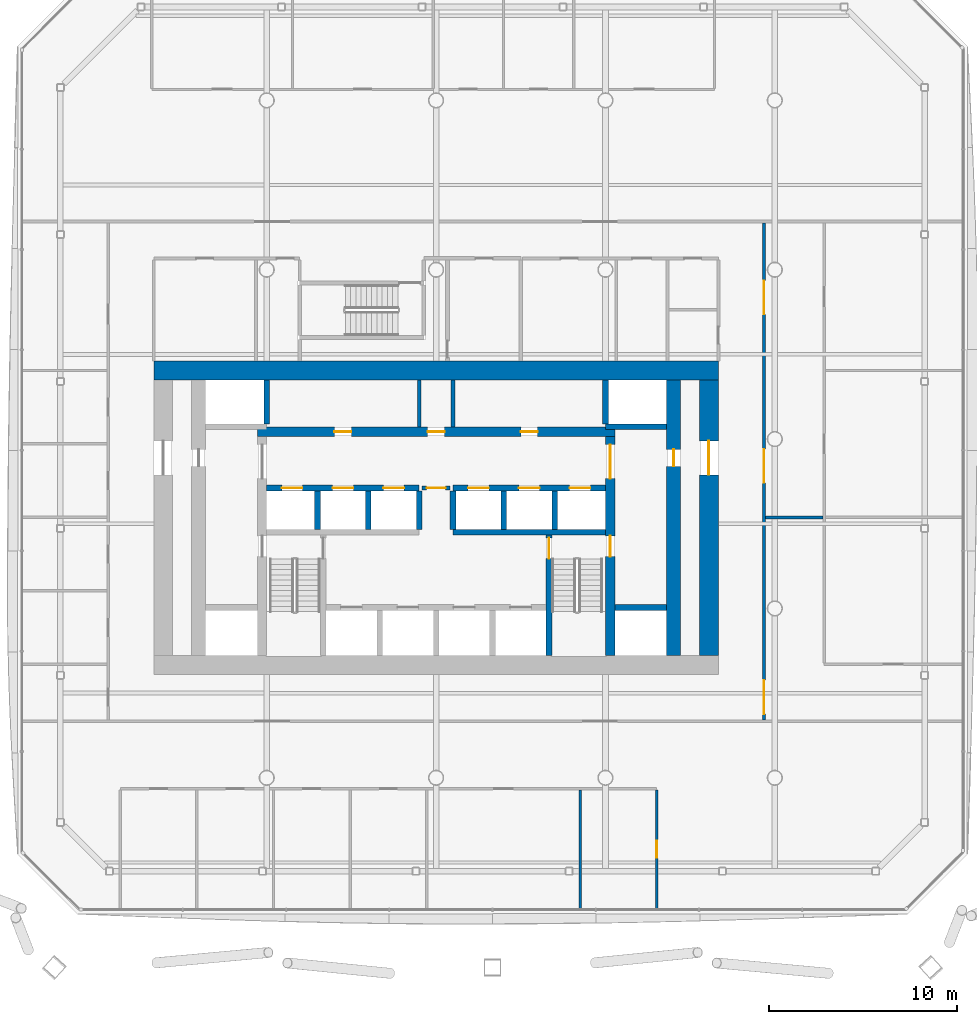
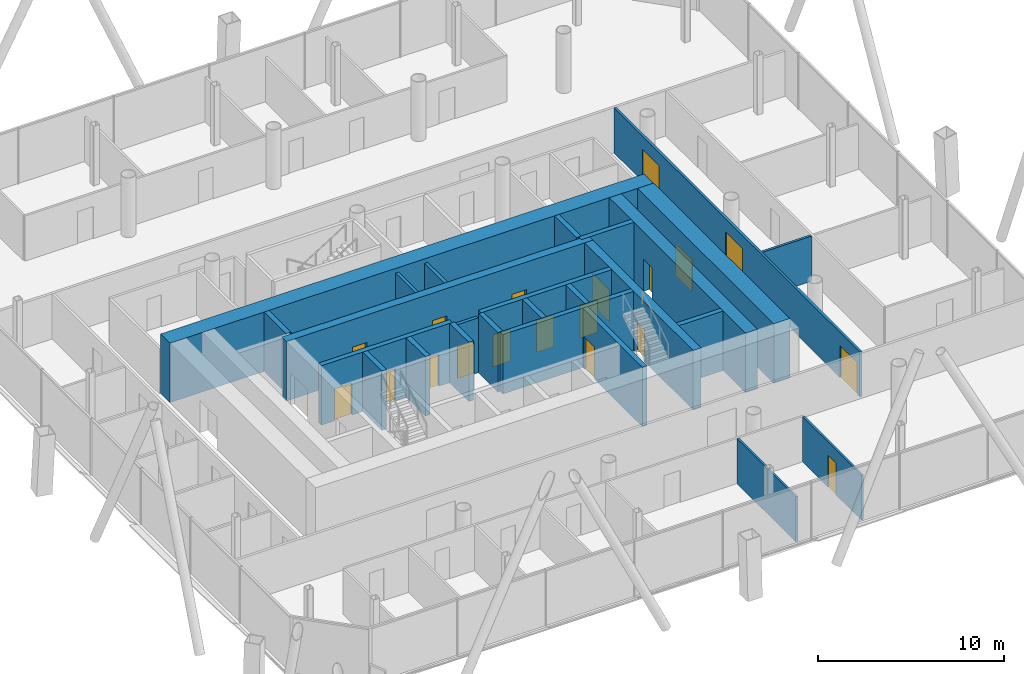
# One storey, part 15 of 22: 26 walls, 19 doors, 19 openings.
"""IFC4 building model written with IfcOpenShell, lengths in metres."""

from ifc_helpers import new_model, si_unit, direction, frame, frame_2d, origin, place, context, subcontext, project, spatial, rectangle, extrude, material, layer, layer_set, type_object, element, fill, save


model = new_model("IFC4")

# Units and contexts
model_context = context("Model", 3, precision=1e-05, world=origin(), true_north=direction((0.0, 1.0)))
body_context = subcontext(model_context, "Body", "Model", "MODEL_VIEW")
ifc_project = project(units=[si_unit("LENGTHUNIT", "METRE"), si_unit("AREAUNIT", "SQUARE_METRE"), si_unit("VOLUMEUNIT", "CUBIC_METRE"), si_unit("PLANEANGLEUNIT", "RADIAN"), si_unit("MASSUNIT", "GRAM", prefix="KILO")], contexts=[model_context])

# Site, building, storey
site_placement = place(None, origin())
site = spatial("IfcSite", under=ifc_project, at=site_placement, CompositionType="ELEMENT")
building_placement = place(site_placement, origin())
building = spatial("IfcBuilding", under=site, at=building_placement, Name="Tskaro Facet Tower", CompositionType="ELEMENT")
storey_placement = place(building_placement, frame((0.0, 0.0, 73.800048828125)))
storey = spatial("IfcBuildingStorey", under=building, at=storey_placement, Name="L17", CompositionType="ELEMENT", Elevation=73.800048828125)

# Walls
ifc_material_1 = material(Name="Concrete C60/75", Category="concrete")
ifc_layer_1 = layer(ifc_material_1, 0.300048828125, Name="Concrete C60/75")
ifc_layer_set_1 = layer_set([ifc_layer_1], Name="Concrete C60/75")
wall_type_1 = type_object("IfcWallType", Name="CORE-SHAFT", PredefinedType="SHEAR", material=ifc_layer_set_1)
wall_1_placement = place(storey_placement, frame((9.5, -8.949951171875, 0.0), z_axis=(0.0, 0.0, 1.0), x_axis=(1.0, 0.0, 0.0)))
element("IfcWall", 1, at=wall_1_placement, inside=storey, type_object=wall_type_1, Name="Shaft wall W007", PredefinedType="SHEAR", context=body_context, shape_type="SweptSolid", body=[
    extrude(rectangle(XDim=2.75, YDim=0.300048828125, at=frame_2d((1.375, 0.0))), origin(), (0.0, 0.0, 1.0), 3.89990234375),
])
wall_2_placement = place(storey_placement, frame((0.89990234375, -4.949951171875, 0.0), z_axis=(0.0, 0.0, 1.0), x_axis=(1.0, 0.0, 0.0)))
element("IfcWall", 2, at=wall_2_placement, inside=storey, type_object=wall_type_1, Name="Shaft wall W010", PredefinedType="SHEAR", context=body_context, shape_type="SweptSolid", body=[
    extrude(rectangle(XDim=8.10009765625, YDim=0.300048828125, at=frame_2d((4.050048828125, 0.0))), origin(), (0.0, 0.0, 1.0), 3.89990234375),
])

# Wall, openings, doors
wall_3_placement = place(storey_placement, frame((-9.0, -2.60009765625, 0.0), z_axis=(0.0, 0.0, 1.0), x_axis=(1.0, 0.0, 0.0)))
wall_3 = element("IfcWall", 3, at=wall_3_placement, inside=storey, type_object=wall_type_1, Name="Shaft wall W014", PredefinedType="SHEAR", context=body_context, shape_type="SweptSolid", body=[
    extrude(rectangle(XDim=8.10009765625, YDim=0.300048828125, at=frame_2d((4.050048828125, 0.0))), origin(), (0.0, 0.0, 1.0), 3.89990234375),
])
opening_1_placement = place(wall_3_placement, frame((0.800048828125, 0.0, 0.0)))
opening_1 = element("IfcOpeningElement", 4, at=opening_1_placement, cuts=wall_3, Name="Opening LD-LR1", PredefinedType="OPENING", context=body_context, shape_type="SweptSolid", body=[
    extrude(rectangle(XDim=1.10009765625, YDim=2.10009765625, at=frame_2d((0.550048828125, 1.050048828125))), frame((0.0, 0.159912109375, 0.0), z_axis=(0.0, -1.0, 0.0), x_axis=(1.0, 0.0, 0.0)), (0.0, 0.0, 1.0), 0.320068359375),
])
opening_2_placement = place(wall_3_placement, frame((3.5, 0.0, 0.0)))
opening_2 = element("IfcOpeningElement", 5, at=opening_2_placement, cuts=wall_3, Name="Opening LD-LR2", PredefinedType="OPENING", context=body_context, shape_type="SweptSolid", body=[
    extrude(rectangle(XDim=1.10009765625, YDim=2.10009765625, at=frame_2d((0.550048828125, 1.050048828125))), frame((0.0, 0.159912109375, 0.0), z_axis=(0.0, -1.0, 0.0), x_axis=(1.0, 0.0, 0.0)), (0.0, 0.0, 1.0), 0.320068359375),
])
opening_3_placement = place(wall_3_placement, frame((6.199951171875, 0.0, 0.0)))
opening_3 = element("IfcOpeningElement", 6, at=opening_3_placement, cuts=wall_3, Name="Opening LD-LR3", PredefinedType="OPENING", context=body_context, shape_type="SweptSolid", body=[
    extrude(rectangle(XDim=1.10009765625, YDim=2.10009765625, at=frame_2d((0.550048828125, 1.050048828125))), frame((0.0, 0.159912109375, 0.0), z_axis=(0.0, -1.0, 0.0), x_axis=(1.0, 0.0, 0.0)), (0.0, 0.0, 1.0), 0.320068359375),
])
ifc_material_2 = material(Name="Stainless steel", Category="steel")
door_type_1 = type_object("IfcDoorType", Name="D-LANDING", OperationType="NOTDEFINED", PredefinedType="DOOR", material=ifc_material_2)
door_1_placement = place(opening_1_placement, origin())
door_1 = element("IfcDoor", 7, at=door_1_placement, inside=storey, type_object=door_type_1, Name="Landing door LR1", OperationType="DOUBLE_DOOR_SLIDING", OverallHeight=2.10009765625, OverallWidth=1.10009765625, PredefinedType="DOOR", context=body_context, shape_type="SweptSolid", body=[
    extrude(rectangle(XDim=1.10009765625, YDim=2.10009765625, at=frame_2d((0.550048828125, 1.050048828125))), frame((0.0, 0.02490234375, 0.0), z_axis=(0.0, -1.0, 0.0), x_axis=(1.0, 0.0, 0.0)), (0.0, 0.0, 1.0), 0.050048828125),
])
fill(opening_1, door_1)
door_2_placement = place(opening_2_placement, origin())
door_2 = element("IfcDoor", 8, at=door_2_placement, inside=storey, type_object=door_type_1, Name="Landing door LR2", OperationType="DOUBLE_DOOR_SLIDING", OverallHeight=2.10009765625, OverallWidth=1.10009765625, PredefinedType="DOOR", context=body_context, shape_type="SweptSolid", body=[
    extrude(rectangle(XDim=1.10009765625, YDim=2.10009765625, at=frame_2d((0.550048828125, 1.050048828125))), frame((0.0, 0.02490234375, 0.0), z_axis=(0.0, -1.0, 0.0), x_axis=(1.0, 0.0, 0.0)), (0.0, 0.0, 1.0), 0.050048828125),
])
fill(opening_2, door_2)
door_3_placement = place(opening_3_placement, origin())
door_3 = element("IfcDoor", 9, at=door_3_placement, inside=storey, type_object=door_type_1, Name="Landing door LR3", OperationType="DOUBLE_DOOR_SLIDING", OverallHeight=2.10009765625, OverallWidth=1.10009765625, PredefinedType="DOOR", context=body_context, shape_type="SweptSolid", body=[
    extrude(rectangle(XDim=1.10009765625, YDim=2.10009765625, at=frame_2d((0.550048828125, 1.050048828125))), frame((0.0, 0.02490234375, 0.0), z_axis=(0.0, -1.0, 0.0), x_axis=(1.0, 0.0, 0.0)), (0.0, 0.0, 1.0), 0.050048828125),
])
fill(opening_3, door_3)

wall_4_placement = place(storey_placement, frame((0.89990234375, -2.60009765625, 0.0), z_axis=(0.0, 0.0, 1.0), x_axis=(1.0, 0.0, 0.0)))
wall_4 = element("IfcWall", 10, at=wall_4_placement, inside=storey, type_object=wall_type_1, Name="Shaft wall W016", PredefinedType="SHEAR", context=body_context, shape_type="SweptSolid", body=[
    extrude(rectangle(XDim=8.10009765625, YDim=0.300048828125, at=frame_2d((4.050048828125, 0.0))), origin(), (0.0, 0.0, 1.0), 3.89990234375),
])
opening_4_placement = place(wall_4_placement, frame((0.800048828125, 0.0, 0.0)))
opening_4 = element("IfcOpeningElement", 11, at=opening_4_placement, cuts=wall_4, Name="Opening LD-LR4", PredefinedType="OPENING", context=body_context, shape_type="SweptSolid", body=[
    extrude(rectangle(XDim=1.10009765625, YDim=2.10009765625, at=frame_2d((0.550048828125, 1.050048828125))), frame((0.0, 0.159912109375, 0.0), z_axis=(0.0, -1.0, 0.0), x_axis=(1.0, 0.0, 0.0)), (0.0, 0.0, 1.0), 0.320068359375),
])
opening_5_placement = place(wall_4_placement, frame((3.5, 0.0, 0.0)))
opening_5 = element("IfcOpeningElement", 12, at=opening_5_placement, cuts=wall_4, Name="Opening LD-LR5", PredefinedType="OPENING", context=body_context, shape_type="SweptSolid", body=[
    extrude(rectangle(XDim=1.10009765625, YDim=2.10009765625, at=frame_2d((0.550048828125, 1.050048828125))), frame((0.0, 0.159912109375, 0.0), z_axis=(0.0, -1.0, 0.0), x_axis=(1.0, 0.0, 0.0)), (0.0, 0.0, 1.0), 0.320068359375),
])
opening_6_placement = place(wall_4_placement, frame((6.199951171875, 0.0, 0.0)))
opening_6 = element("IfcOpeningElement", 13, at=opening_6_placement, cuts=wall_4, Name="Opening LD-LR6", PredefinedType="OPENING", context=body_context, shape_type="SweptSolid", body=[
    extrude(rectangle(XDim=1.10009765625, YDim=2.10009765625, at=frame_2d((0.550048828125, 1.050048828125))), frame((0.0, 0.159912109375, 0.0), z_axis=(0.0, -1.0, 0.0), x_axis=(1.0, 0.0, 0.0)), (0.0, 0.0, 1.0), 0.320068359375),
])
door_4_placement = place(opening_4_placement, origin())
door_4 = element("IfcDoor", 14, at=door_4_placement, inside=storey, type_object=door_type_1, Name="Landing door LR4", OperationType="DOUBLE_DOOR_SLIDING", OverallHeight=2.10009765625, OverallWidth=1.10009765625, PredefinedType="DOOR", context=body_context, shape_type="SweptSolid", body=[
    extrude(rectangle(XDim=1.10009765625, YDim=2.10009765625, at=frame_2d((0.550048828125, 1.050048828125))), frame((0.0, 0.02490234375, 0.0), z_axis=(0.0, -1.0, 0.0), x_axis=(1.0, 0.0, 0.0)), (0.0, 0.0, 1.0), 0.050048828125),
])
fill(opening_4, door_4)
door_5_placement = place(opening_5_placement, origin())
door_5 = element("IfcDoor", 15, at=door_5_placement, inside=storey, type_object=door_type_1, Name="Landing door LR5", OperationType="DOUBLE_DOOR_SLIDING", OverallHeight=2.10009765625, OverallWidth=1.10009765625, PredefinedType="DOOR", context=body_context, shape_type="SweptSolid", body=[
    extrude(rectangle(XDim=1.10009765625, YDim=2.10009765625, at=frame_2d((0.550048828125, 1.050048828125))), frame((0.0, 0.02490234375, 0.0), z_axis=(0.0, -1.0, 0.0), x_axis=(1.0, 0.0, 0.0)), (0.0, 0.0, 1.0), 0.050048828125),
])
fill(opening_5, door_5)
door_6_placement = place(opening_6_placement, origin())
door_6 = element("IfcDoor", 16, at=door_6_placement, inside=storey, type_object=door_type_1, Name="Landing door LR6", OperationType="DOUBLE_DOOR_SLIDING", OverallHeight=2.10009765625, OverallWidth=1.10009765625, PredefinedType="DOOR", context=body_context, shape_type="SweptSolid", body=[
    extrude(rectangle(XDim=1.10009765625, YDim=2.10009765625, at=frame_2d((0.550048828125, 1.050048828125))), frame((0.0, 0.02490234375, 0.0), z_axis=(0.0, -1.0, 0.0), x_axis=(1.0, 0.0, 0.0)), (0.0, 0.0, 1.0), 0.050048828125),
])
fill(opening_6, door_6)

# Walls
wall_5_placement = place(storey_placement, frame((12.25, 0.64990234375, 0.0), z_axis=(0.0, 0.0, 1.0), x_axis=(-1.0, 0.0, 0.0)))
element("IfcWall", 17, at=wall_5_placement, inside=storey, type_object=wall_type_1, Name="Shaft wall W019", PredefinedType="SHEAR", context=body_context, shape_type="SweptSolid", body=[
    extrude(rectangle(XDim=3.25, YDim=0.300048828125, at=frame_2d((1.625, 0.0))), origin(), (0.0, 0.0, 1.0), 3.89990234375),
])
wall_6_placement = place(storey_placement, frame((-9.0, 0.800048828125, 0.0), z_axis=(0.0, 0.0, 1.0), x_axis=(0.0, 1.0, 0.0)))
element("IfcWall", 18, at=wall_6_placement, inside=storey, type_object=wall_type_1, Name="Shaft wall W036", PredefinedType="SHEAR", context=body_context, shape_type="SweptSolid", body=[
    extrude(rectangle(XDim=2.349853515625, YDim=0.300048828125, at=frame_2d((1.1748046875, 0.0))), origin(), (0.0, 0.0, 1.0), 3.89990234375),
])
for number, where, z_axis, x_axis, name in (
    (19, (-6.300048828125, -4.800048828125, 0.0), (0.0, 0.0, 1.0), (0.0, 1.0, 0.0), "Shaft wall W042"),
    (20, (-3.60009765625, -4.800048828125, 0.0), (0.0, 0.0, 1.0), (0.0, 1.0, 0.0), "Shaft wall W045"),
    (21, (-0.89990234375, -4.800048828125, 0.0), (0.0, 0.0, 1.0), (0.0, 1.0, 0.0), "Shaft wall W047"),
    (22, (0.89990234375, -4.800048828125, 0.0), (0.0, 0.0, 1.0), (0.0, 1.0, 0.0), "Shaft wall W055"),
    (23, (3.60009765625, -4.800048828125, 0.0), (0.0, 0.0, 1.0), (0.0, 1.0, 0.0), "Shaft wall W059"),
):
    element("IfcWall", number, at=place(storey_placement, frame(where, z_axis=z_axis, x_axis=x_axis)), inside=storey, type_object=wall_type_1, Name=name, PredefinedType="SHEAR", context=body_context, shape_type="SweptSolid", body=[
        extrude(rectangle(XDim=2.050048828125, YDim=0.300048828125, at=frame_2d((1.02490234375, 0.0))), origin(), (0.0, 0.0, 1.0), 3.89990234375),
    ])

# Wall, opening, door
wall_7_placement = place(storey_placement, frame((6.0, -5.10009765625, 0.0), z_axis=(0.0, 0.0, 1.0), x_axis=(0.0, -1.0, 0.0)))
wall_7 = element("IfcWall", 24, at=wall_7_placement, inside=storey, type_object=wall_type_1, Name="Shaft wall W061", PredefinedType="SHEAR", context=body_context, shape_type="SweptSolid", body=[
    extrude(rectangle(XDim=6.39990234375, YDim=0.300048828125, at=frame_2d((3.199951171875, 0.0))), origin(), (0.0, 0.0, 1.0), 3.89990234375),
])
opening_7_placement = place(wall_7_placement, frame((0.14990234375, 0.0, 0.0)))
opening_7 = element("IfcOpeningElement", 25, at=opening_7_placement, cuts=wall_7, Name="Opening ST-2-D1", PredefinedType="OPENING", context=body_context, shape_type="SweptSolid", body=[
    extrude(rectangle(XDim=1.10009765625, YDim=2.10009765625, at=frame_2d((0.550048828125, 1.050048828125))), frame((0.0, 0.159912109375, 0.0), z_axis=(0.0, -1.0, 0.0), x_axis=(1.0, 0.0, 0.0)), (0.0, 0.0, 1.0), 0.320068359375),
])
ifc_material_3 = material(Name="Steel", Category="steel")
door_type_2 = type_object("IfcDoorType", Name="D-STAIR", OperationType="NOTDEFINED", PredefinedType="DOOR", material=ifc_material_3)
door_7_placement = place(opening_7_placement, origin())
door_7 = element("IfcDoor", 26, at=door_7_placement, inside=storey, type_object=door_type_2, Name="Stair door 2", OperationType="SINGLE_SWING_RIGHT", OverallHeight=2.10009765625, OverallWidth=1.10009765625, PredefinedType="DOOR", context=body_context, shape_type="SweptSolid", body=[
    extrude(rectangle(XDim=1.10009765625, YDim=2.10009765625, at=frame_2d((0.550048828125, 1.050048828125))), frame((0.0, 0.02490234375, 0.0), z_axis=(0.0, -1.0, 0.0), x_axis=(1.0, 0.0, 0.0)), (0.0, 0.0, 1.0), 0.050048828125),
])
fill(opening_7, door_7)

# Walls
wall_8_placement = place(storey_placement, frame((6.300048828125, -4.800048828125, 0.0), z_axis=(0.0, 0.0, 1.0), x_axis=(0.0, 1.0, 0.0)))
element("IfcWall", 27, at=wall_8_placement, inside=storey, type_object=wall_type_1, Name="Shaft wall W062", PredefinedType="SHEAR", context=body_context, shape_type="SweptSolid", body=[
    extrude(rectangle(XDim=2.050048828125, YDim=0.300048828125, at=frame_2d((1.02490234375, 0.0))), origin(), (0.0, 0.0, 1.0), 3.89990234375),
])
wall_9_placement = place(storey_placement, frame((9.0, 0.800048828125, 0.0), z_axis=(0.0, 0.0, 1.0), x_axis=(0.0, 1.0, 0.0)))
element("IfcWall", 28, at=wall_9_placement, inside=storey, type_object=wall_type_1, Name="Shaft wall W065", PredefinedType="SHEAR", context=body_context, shape_type="SweptSolid", body=[
    extrude(rectangle(XDim=2.349853515625, YDim=0.300048828125, at=frame_2d((1.1748046875, 0.0))), origin(), (0.0, 0.0, 1.0), 3.89990234375),
])

# Wall, opening, door
ifc_material_4 = material(Name="Concrete C20/25", Category="concrete")
ifc_layer_2 = layer(ifc_material_4, 0.199951171875, Name="Concrete C20/25")
ifc_layer_set_2 = layer_set([ifc_layer_2], Name="Concrete C20/25")
wall_type_2 = type_object("IfcWallType", Name="CORE-WALL", PredefinedType="SOLIDWALL", material=ifc_layer_set_2)
wall_10_placement = place(storey_placement, frame((0.75, -2.60009765625, 0.0), z_axis=(0.0, 0.0, 1.0), x_axis=(-1.0, 0.0, 0.0)))
wall_10 = element("IfcWall", 29, at=wall_10_placement, inside=storey, type_object=wall_type_2, Name="Core room wall W015", PredefinedType="SOLIDWALL", context=body_context, shape_type="SweptSolid", body=[
    extrude(rectangle(XDim=1.5, YDim=0.199951171875, at=frame_2d((0.75, 0.0))), origin(), (0.0, 0.0, 1.0), 3.599853515625),
])
opening_8_placement = place(wall_10_placement, frame((0.25, 0.0, 0.0)))
opening_8 = element("IfcOpeningElement", 30, at=opening_8_placement, cuts=wall_10, Name="Opening FL-D1", PredefinedType="OPENING", context=body_context, shape_type="SweptSolid", body=[
    extrude(rectangle(XDim=1.0, YDim=2.10009765625, at=frame_2d((0.5, 1.050048828125))), frame((0.0, 0.10986328125, 0.0), z_axis=(0.0, -1.0, 0.0), x_axis=(1.0, 0.0, 0.0)), (0.0, 0.0, 1.0), 0.219970703125),
])
door_type_3 = type_object("IfcDoorType", Name="D-LOBBY", OperationType="NOTDEFINED", PredefinedType="DOOR", material=ifc_material_3)
door_8_placement = place(opening_8_placement, origin())
door_8 = element("IfcDoor", 31, at=door_8_placement, inside=storey, type_object=door_type_3, Name="Lobby door FL", OperationType="SINGLE_SWING_RIGHT", OverallHeight=2.10009765625, OverallWidth=1.0, PredefinedType="DOOR", context=body_context, shape_type="SweptSolid", body=[
    extrude(rectangle(XDim=1.0, YDim=2.10009765625, at=frame_2d((0.5, 1.050048828125))), frame((0.0, 0.02490234375, 0.0), z_axis=(0.0, -1.0, 0.0), x_axis=(1.0, 0.0, 0.0)), (0.0, 0.0, 1.0), 0.050048828125),
])
fill(opening_8, door_8)

# Walls
for number, where, z_axis, x_axis, name in (
    (32, (-0.89990234375, 0.64990234375, 0.0), (0.0, 0.0, 1.0), (0.0, 1.0, 0.0), "Core room wall W048"),
    (33, (0.89990234375, 0.64990234375, 0.0), (0.0, 0.0, 1.0), (0.0, 1.0, 0.0), "Core room wall W056"),
):
    element("IfcWall", number, at=place(storey_placement, frame(where, z_axis=z_axis, x_axis=x_axis)), inside=storey, type_object=wall_type_2, Name=name, PredefinedType="SOLIDWALL", context=body_context, shape_type="SweptSolid", body=[
        extrude(rectangle(XDim=2.5, YDim=0.199951171875, at=frame_2d((1.25, 0.0))), origin(), (0.0, 0.0, 1.0), 3.599853515625),
    ])
ifc_layer_3 = layer(ifc_material_1, 1.0, Name="Concrete C60/75")
ifc_layer_set_3 = layer_set([ifc_layer_3], Name="Concrete C60/75")
wall_type_3 = type_object("IfcWallType", Name="Core wall 1000", PredefinedType="SHEAR", material=ifc_layer_set_3)
wall_11_placement = place(storey_placement, frame((-15.0, 3.64990234375, 0.0), z_axis=(0.0, 0.0, 1.0), x_axis=(1.0, 0.0, 0.0)))
element("IfcWall", 34, at=wall_11_placement, inside=storey, type_object=wall_type_3, Name="Core wall CW-Z1N", PredefinedType="SHEAR", context=body_context, shape_type="SweptSolid", body=[
    extrude(rectangle(XDim=30.0, YDim=1.0, at=frame_2d((15.0, 0.0))), origin(), (0.0, 0.0, 1.0), 3.89990234375),
])

# Wall, opening, door
wall_12_placement = place(storey_placement, frame((14.5, -11.5, 0.0), z_axis=(0.0, 0.0, 1.0), x_axis=(0.0, 1.0, 0.0)))
wall_12 = element("IfcWall", 35, at=wall_12_placement, inside=storey, type_object=wall_type_3, Name="Core wall CW-Z1E", PredefinedType="SHEAR", context=body_context, shape_type="SweptSolid", body=[
    extrude(rectangle(XDim=14.64990234375, YDim=1.0, at=frame_2d((7.324951171875, 0.0))), origin(), (0.0, 0.0, 1.0), 3.89990234375),
])
opening_9_placement = place(wall_12_placement, frame((9.60009765625, 0.0, 0.0)))
opening_9 = element("IfcOpeningElement", 36, at=opening_9_placement, cuts=wall_12, Name="Opening T5-D23", PredefinedType="OPENING", context=body_context, shape_type="SweptSolid", body=[
    extrude(rectangle(XDim=1.800048828125, YDim=2.10009765625, at=frame_2d((0.89990234375, 1.050048828125))), frame((0.0, 0.510009765625, 0.0), z_axis=(0.0, -1.0, 0.0), x_axis=(1.0, 0.0, 0.0)), (0.0, 0.0, 1.0), 1.02001953125),
])
door_type_4 = type_object("IfcDoorType", Name="D-CORE-PAIR", OperationType="NOTDEFINED", PredefinedType="DOOR", material=ifc_material_3)
door_9_placement = place(opening_9_placement, origin())
door_9 = element("IfcDoor", 37, at=door_9_placement, inside=storey, type_object=door_type_4, Name="Door T5-D23", OperationType="DOUBLE_DOOR_SINGLE_SWING", OverallHeight=2.10009765625, OverallWidth=1.800048828125, PredefinedType="DOOR", context=body_context, shape_type="SweptSolid", body=[
    extrude(rectangle(XDim=1.800048828125, YDim=2.10009765625, at=frame_2d((0.89990234375, 1.050048828125))), frame((0.0, 0.02490234375, 0.0), z_axis=(0.0, -1.0, 0.0), x_axis=(1.0, 0.0, 0.0)), (0.0, 0.0, 1.0), 0.050048828125),
])
fill(opening_9, door_9)

# Wall, openings, doors
ifc_material_5 = material(Name="Concrete C40/50", Category="concrete")
ifc_layer_4 = layer(ifc_material_5, 0.5, Name="Concrete C40/50")
ifc_layer_set_4 = layer_set([ifc_layer_4], Name="Concrete C40/50")
wall_type_4 = type_object("IfcWallType", Name="Core wall 500", PredefinedType="SHEAR", material=ifc_layer_set_4)
wall_13_placement = place(storey_placement, frame((-9.5, 0.39990234375, 0.0), z_axis=(0.0, 0.0, 1.0), x_axis=(1.0, 0.0, 0.0)))
wall_13 = element("IfcWall", 38, at=wall_13_placement, inside=storey, type_object=wall_type_4, Name="Core wall CW-Z3N", PredefinedType="SHEAR", context=body_context, shape_type="SweptSolid", body=[
    extrude(rectangle(XDim=19.0, YDim=0.5, at=frame_2d((9.5, 0.0))), origin(), (0.0, 0.0, 1.0), 3.89990234375),
])
opening_10_placement = place(wall_13_placement, frame((4.10009765625, 0.0, 0.0)))
opening_10 = element("IfcOpeningElement", 39, at=opening_10_placement, cuts=wall_13, Name="Opening T5-D25", PredefinedType="OPENING", context=body_context, shape_type="SweptSolid", body=[
    extrude(rectangle(XDim=0.89990234375, YDim=2.10009765625, at=frame_2d((0.449951171875, 1.050048828125))), frame((0.0, 0.260009765625, 0.0), z_axis=(0.0, -1.0, 0.0), x_axis=(1.0, 0.0, 0.0)), (0.0, 0.0, 1.0), 0.52001953125),
])
opening_11_placement = place(wall_13_placement, frame((14.0, 0.0, 0.0)))
opening_11 = element("IfcOpeningElement", 40, at=opening_11_placement, cuts=wall_13, Name="Opening T5-D27", PredefinedType="OPENING", context=body_context, shape_type="SweptSolid", body=[
    extrude(rectangle(XDim=0.89990234375, YDim=2.10009765625, at=frame_2d((0.449951171875, 1.050048828125))), frame((0.0, 0.260009765625, 0.0), z_axis=(0.0, -1.0, 0.0), x_axis=(1.0, 0.0, 0.0)), (0.0, 0.0, 1.0), 0.52001953125),
])
opening_12_placement = place(wall_13_placement, frame((9.050048828125, 0.0, 0.0)))
opening_12 = element("IfcOpeningElement", 41, at=opening_12_placement, cuts=wall_13, Name="Opening T5-D26", PredefinedType="OPENING", context=body_context, shape_type="SweptSolid", body=[
    extrude(rectangle(XDim=0.89990234375, YDim=2.10009765625, at=frame_2d((0.449951171875, 1.050048828125))), frame((0.0, 0.260009765625, 0.0), z_axis=(0.0, -1.0, 0.0), x_axis=(1.0, 0.0, 0.0)), (0.0, 0.0, 1.0), 0.52001953125),
])
door_type_5 = type_object("IfcDoorType", Name="D-RISER", OperationType="NOTDEFINED", PredefinedType="DOOR", material=ifc_material_3)
door_10_placement = place(opening_12_placement, origin())
door_10 = element("IfcDoor", 42, at=door_10_placement, inside=storey, type_object=door_type_5, Name="Door T5-D26", OperationType="SINGLE_SWING_LEFT", OverallHeight=2.10009765625, OverallWidth=0.89990234375, PredefinedType="DOOR", context=body_context, shape_type="SweptSolid", body=[
    extrude(rectangle(XDim=0.89990234375, YDim=2.10009765625, at=frame_2d((0.449951171875, 1.050048828125))), frame((0.0, 0.02490234375, 0.0), z_axis=(0.0, -1.0, 0.0), x_axis=(1.0, 0.0, 0.0)), (0.0, 0.0, 1.0), 0.050048828125),
])
fill(opening_12, door_10)
ifc_material_6 = material(Name="Timber", Category="wood")
door_type_6 = type_object("IfcDoorType", Name="D-ROOM", OperationType="NOTDEFINED", PredefinedType="DOOR", material=ifc_material_6)
door_11_placement = place(opening_10_placement, origin())
door_11 = element("IfcDoor", 43, at=door_11_placement, inside=storey, type_object=door_type_6, Name="Door T5-D25", OperationType="SINGLE_SWING_LEFT", OverallHeight=2.10009765625, OverallWidth=0.89990234375, PredefinedType="DOOR", context=body_context, shape_type="SweptSolid", body=[
    extrude(rectangle(XDim=0.89990234375, YDim=2.10009765625, at=frame_2d((0.449951171875, 1.050048828125))), frame((0.0, 0.02490234375, 0.0), z_axis=(0.0, -1.0, 0.0), x_axis=(1.0, 0.0, 0.0)), (0.0, 0.0, 1.0), 0.050048828125),
])
fill(opening_10, door_11)
door_12_placement = place(opening_11_placement, origin())
door_12 = element("IfcDoor", 44, at=door_12_placement, inside=storey, type_object=door_type_6, Name="Door T5-D27", OperationType="SINGLE_SWING_LEFT", OverallHeight=2.10009765625, OverallWidth=0.89990234375, PredefinedType="DOOR", context=body_context, shape_type="SweptSolid", body=[
    extrude(rectangle(XDim=0.89990234375, YDim=2.10009765625, at=frame_2d((0.449951171875, 1.050048828125))), frame((0.0, 0.02490234375, 0.0), z_axis=(0.0, -1.0, 0.0), x_axis=(1.0, 0.0, 0.0)), (0.0, 0.0, 1.0), 0.050048828125),
])
fill(opening_11, door_12)

wall_14_placement = place(storey_placement, frame((9.25, -11.5, 0.0), z_axis=(0.0, 0.0, 1.0), x_axis=(0.0, 1.0, 0.0)))
wall_14 = element("IfcWall", 45, at=wall_14_placement, inside=storey, type_object=wall_type_4, Name="Core wall CW-Z3E", PredefinedType="SHEAR", context=body_context, shape_type="SweptSolid", body=[
    extrude(rectangle(XDim=11.64990234375, YDim=0.5, at=frame_2d((5.824951171875, 0.0))), origin(), (0.0, 0.0, 1.0), 3.89990234375),
])
opening_13_placement = place(wall_14_placement, frame((9.39990234375, 0.0, 0.0)))
opening_13 = element("IfcOpeningElement", 46, at=opening_13_placement, cuts=wall_14, Name="Opening T5-D19", PredefinedType="OPENING", context=body_context, shape_type="SweptSolid", body=[
    extrude(rectangle(XDim=1.800048828125, YDim=2.10009765625, at=frame_2d((0.89990234375, 1.050048828125))), frame((0.0, 0.260009765625, 0.0), z_axis=(0.0, -1.0, 0.0), x_axis=(1.0, 0.0, 0.0)), (0.0, 0.0, 1.0), 0.52001953125),
])
opening_14_placement = place(wall_14_placement, frame((5.25, 0.0, 0.0)))
opening_14 = element("IfcOpeningElement", 47, at=opening_14_placement, cuts=wall_14, Name="Opening ST-2-D2", PredefinedType="OPENING", context=body_context, shape_type="SweptSolid", body=[
    extrude(rectangle(XDim=1.10009765625, YDim=2.10009765625, at=frame_2d((0.550048828125, 1.050048828125))), frame((0.0, 0.260009765625, 0.0), z_axis=(0.0, -1.0, 0.0), x_axis=(1.0, 0.0, 0.0)), (0.0, 0.0, 1.0), 0.52001953125),
])
door_13_placement = place(opening_13_placement, origin())
door_13 = element("IfcDoor", 48, at=door_13_placement, inside=storey, type_object=door_type_4, Name="Door T5-D19", OperationType="DOUBLE_DOOR_SINGLE_SWING", OverallHeight=2.10009765625, OverallWidth=1.800048828125, PredefinedType="DOOR", context=body_context, shape_type="SweptSolid", body=[
    extrude(rectangle(XDim=1.800048828125, YDim=2.10009765625, at=frame_2d((0.89990234375, 1.050048828125))), frame((0.0, 0.02490234375, 0.0), z_axis=(0.0, -1.0, 0.0), x_axis=(1.0, 0.0, 0.0)), (0.0, 0.0, 1.0), 0.050048828125),
])
fill(opening_13, door_13)
door_14_placement = place(opening_14_placement, origin())
door_14 = element("IfcDoor", 49, at=door_14_placement, inside=storey, type_object=door_type_2, Name="Stair door 2 east", OperationType="SINGLE_SWING_LEFT", OverallHeight=2.10009765625, OverallWidth=1.10009765625, PredefinedType="DOOR", context=body_context, shape_type="SweptSolid", body=[
    extrude(rectangle(XDim=1.10009765625, YDim=2.10009765625, at=frame_2d((0.550048828125, 1.050048828125))), frame((0.0, 0.02490234375, 0.0), z_axis=(0.0, -1.0, 0.0), x_axis=(1.0, 0.0, 0.0)), (0.0, 0.0, 1.0), 0.050048828125),
])
fill(opening_14, door_14)

# Wall, opening, door
ifc_material_7 = material(Name="Concrete C50/60", Category="concrete")
ifc_layer_5 = layer(ifc_material_7, 0.75, Name="Concrete C50/60")
ifc_layer_set_5 = layer_set([ifc_layer_5], Name="Concrete C50/60")
wall_type_5 = type_object("IfcWallType", Name="Core wall 750", PredefinedType="SHEAR", material=ifc_layer_set_5)
wall_15_placement = place(storey_placement, frame((12.625, -11.5, 0.0), z_axis=(0.0, 0.0, 1.0), x_axis=(0.0, 1.0, 0.0)))
wall_15 = element("IfcWall", 50, at=wall_15_placement, inside=storey, type_object=wall_type_5, Name="Core wall CW-Z2E", PredefinedType="SHEAR", context=body_context, shape_type="SweptSolid", body=[
    extrude(rectangle(XDim=14.64990234375, YDim=0.75, at=frame_2d((7.324951171875, 0.0))), origin(), (0.0, 0.0, 1.0), 3.89990234375),
])
opening_15_placement = place(wall_15_placement, frame((10.050048828125, 0.0, 0.0)))
opening_15 = element("IfcOpeningElement", 51, at=opening_15_placement, cuts=wall_15, Name="Opening T5-D22", PredefinedType="OPENING", context=body_context, shape_type="SweptSolid", body=[
    extrude(rectangle(XDim=0.89990234375, YDim=2.10009765625, at=frame_2d((0.449951171875, 1.050048828125))), frame((0.0, 0.385009765625, 0.0), z_axis=(0.0, -1.0, 0.0), x_axis=(1.0, 0.0, 0.0)), (0.0, 0.0, 1.0), 0.77001953125),
])
door_15_placement = place(opening_15_placement, origin())
door_15 = element("IfcDoor", 52, at=door_15_placement, inside=storey, type_object=door_type_6, Name="Door T5-D22", OperationType="SINGLE_SWING_LEFT", OverallHeight=2.10009765625, OverallWidth=0.89990234375, PredefinedType="DOOR", context=body_context, shape_type="SweptSolid", body=[
    extrude(rectangle(XDim=0.89990234375, YDim=2.10009765625, at=frame_2d((0.449951171875, 1.050048828125))), frame((0.0, 0.02490234375, 0.0), z_axis=(0.0, -1.0, 0.0), x_axis=(1.0, 0.0, 0.0)), (0.0, 0.0, 1.0), 0.050048828125),
])
fill(opening_15, door_15)

# Wall
ifc_material_8 = material(Name="Gypsum board on steel studs", Category="steel")
ifc_layer_6 = layer(ifc_material_8, 0.125, Name="Gypsum board on steel studs")
ifc_layer_set_6 = layer_set([ifc_layer_6], Name="Gypsum board on steel studs")
wall_type_6 = type_object("IfcWallType", Name="PART", PredefinedType="PARTITIONING", material=ifc_layer_set_6)
wall_16_placement = place(storey_placement, frame((7.653076171875, -24.9609375, 0.0), z_axis=(0.0, 0.0, 1.0), x_axis=(0.0, 1.0, 0.0)))
element("IfcWall", 53, at=wall_16_placement, inside=storey, type_object=wall_type_6, Name="Partition W064", PredefinedType="PARTITIONING", context=body_context, shape_type="SweptSolid", body=[
    extrude(rectangle(XDim=6.318359375, YDim=0.125, at=frame_2d((3.1591796875, 0.0))), origin(), (0.0, 0.0, 1.0), 2.9599609375),
])

# Wall, opening, door
wall_17_placement = place(storey_placement, frame((11.72607421875, -24.9609375, 0.0), z_axis=(0.0, 0.0, 1.0), x_axis=(0.0, 1.0, 0.0)))
wall_17 = element("IfcWall", 54, at=wall_17_placement, inside=storey, type_object=wall_type_6, Name="Partition W067", PredefinedType="PARTITIONING", context=body_context, shape_type="SweptSolid", body=[
    extrude(rectangle(XDim=6.318359375, YDim=0.125, at=frame_2d((3.1591796875, 0.0))), origin(), (0.0, 0.0, 1.0), 2.9599609375),
])
opening_16_placement = place(wall_17_placement, frame((2.709228515625, 0.0, 0.0)))
opening_16 = element("IfcOpeningElement", 55, at=opening_16_placement, cuts=wall_17, Name="Opening T5-D01", PredefinedType="OPENING", context=body_context, shape_type="SweptSolid", body=[
    extrude(rectangle(XDim=0.89990234375, YDim=2.10009765625, at=frame_2d((0.449951171875, 1.050048828125))), frame((0.0, 0.072509765625, 0.0), z_axis=(0.0, -1.0, 0.0), x_axis=(1.0, 0.0, 0.0)), (0.0, 0.0, 1.0), 0.14501953125),
])
door_16_placement = place(opening_16_placement, origin())
door_16 = element("IfcDoor", 56, at=door_16_placement, inside=storey, type_object=door_type_6, Name="Door T5-D01", OperationType="SINGLE_SWING_LEFT", OverallHeight=2.10009765625, OverallWidth=0.89990234375, PredefinedType="DOOR", context=body_context, shape_type="SweptSolid", body=[
    extrude(rectangle(XDim=0.89990234375, YDim=2.10009765625, at=frame_2d((0.449951171875, 1.050048828125))), frame((0.0, 0.02490234375, 0.0), z_axis=(0.0, -1.0, 0.0), x_axis=(1.0, 0.0, 0.0)), (0.0, 0.0, 1.0), 0.050048828125),
])
fill(opening_16, door_16)

# Wall
ifc_layer_7 = layer(ifc_material_8, 0.14990234375, Name="Gypsum board on steel studs")
ifc_layer_set_7 = layer_set([ifc_layer_7], Name="Gypsum board on steel studs")
wall_type_7 = type_object("IfcWallType", Name="PART-CORR", PredefinedType="PARTITIONING", material=ifc_layer_set_7)
wall_18_placement = place(storey_placement, frame((17.5, -4.162109375, 0.0), z_axis=(0.0, 0.0, 1.0), x_axis=(1.0, 0.0, 0.0)))
element("IfcWall", 57, at=wall_18_placement, inside=storey, type_object=wall_type_7, Name="Corridor wall W012", PredefinedType="PARTITIONING", context=body_context, shape_type="SweptSolid", body=[
    extrude(rectangle(XDim=3.0625, YDim=0.14990234375, at=frame_2d((1.53125, 0.0))), origin(), (0.0, 0.0, 1.0), 2.9599609375),
])

# Wall, openings, doors
wall_19_placement = place(storey_placement, frame((17.425048828125, -14.925048828125, 0.0), z_axis=(0.0, 0.0, 1.0), x_axis=(0.0, 1.0, 0.0)))
wall_19 = element("IfcWall", 58, at=wall_19_placement, inside=storey, type_object=wall_type_7, Name="Corridor wall W071", PredefinedType="PARTITIONING", context=body_context, shape_type="SweptSolid", body=[
    extrude(rectangle(XDim=26.405029296875, YDim=0.14990234375, at=frame_2d((13.20263671875, 0.0))), origin(), (0.0, 0.0, 1.0), 2.9599609375),
])
opening_17_placement = place(wall_19_placement, frame((0.3125, 0.0, 0.0)))
opening_17 = element("IfcOpeningElement", 59, at=opening_17_placement, cuts=wall_19, Name="Opening T5-D10", PredefinedType="OPENING", context=body_context, shape_type="SweptSolid", body=[
    extrude(rectangle(XDim=1.800048828125, YDim=2.10009765625, at=frame_2d((0.89990234375, 1.050048828125))), frame((0.0, 0.0849609375, 0.0), z_axis=(0.0, -1.0, 0.0), x_axis=(1.0, 0.0, 0.0)), (0.0, 0.0, 1.0), 0.169921875),
])
opening_18_placement = place(wall_19_placement, frame((12.592041015625, 0.0, 0.0)))
opening_18 = element("IfcOpeningElement", 60, at=opening_18_placement, cuts=wall_19, Name="Opening T5-D17", PredefinedType="OPENING", context=body_context, shape_type="SweptSolid", body=[
    extrude(rectangle(XDim=1.800048828125, YDim=2.10009765625, at=frame_2d((0.89990234375, 1.050048828125))), frame((0.0, 0.0849609375, 0.0), z_axis=(0.0, -1.0, 0.0), x_axis=(1.0, 0.0, 0.0)), (0.0, 0.0, 1.0), 0.169921875),
])
opening_19_placement = place(wall_19_placement, frame((21.551025390625, 0.0, 0.0)))
opening_19 = element("IfcOpeningElement", 61, at=opening_19_placement, cuts=wall_19, Name="Opening T5-D34", PredefinedType="OPENING", context=body_context, shape_type="SweptSolid", body=[
    extrude(rectangle(XDim=1.800048828125, YDim=2.10009765625, at=frame_2d((0.89990234375, 1.050048828125))), frame((0.0, 0.0849609375, 0.0), z_axis=(0.0, -1.0, 0.0), x_axis=(1.0, 0.0, 0.0)), (0.0, 0.0, 1.0), 0.169921875),
])
ifc_material_9 = material(Name="Glass", Category="glass")
door_type_7 = type_object("IfcDoorType", Name="D-ENTRY-PAIR", OperationType="NOTDEFINED", PredefinedType="DOOR", material=ifc_material_9)
door_17_placement = place(opening_17_placement, origin())
door_17 = element("IfcDoor", 62, at=door_17_placement, inside=storey, type_object=door_type_7, Name="Door T5-D10", OperationType="DOUBLE_DOOR_SINGLE_SWING", OverallHeight=2.10009765625, OverallWidth=1.800048828125, PredefinedType="DOOR", context=body_context, shape_type="SweptSolid", body=[
    extrude(rectangle(XDim=1.800048828125, YDim=2.10009765625, at=frame_2d((0.89990234375, 1.050048828125))), frame((0.0, 0.02490234375, 0.0), z_axis=(0.0, -1.0, 0.0), x_axis=(1.0, 0.0, 0.0)), (0.0, 0.0, 1.0), 0.050048828125),
])
fill(opening_17, door_17)
door_18_placement = place(opening_18_placement, origin())
door_18 = element("IfcDoor", 63, at=door_18_placement, inside=storey, type_object=door_type_7, Name="Door T5-D17", OperationType="DOUBLE_DOOR_SINGLE_SWING", OverallHeight=2.10009765625, OverallWidth=1.800048828125, PredefinedType="DOOR", context=body_context, shape_type="SweptSolid", body=[
    extrude(rectangle(XDim=1.800048828125, YDim=2.10009765625, at=frame_2d((0.89990234375, 1.050048828125))), frame((0.0, 0.02490234375, 0.0), z_axis=(0.0, -1.0, 0.0), x_axis=(1.0, 0.0, 0.0)), (0.0, 0.0, 1.0), 0.050048828125),
])
fill(opening_18, door_18)
door_19_placement = place(opening_19_placement, origin())
door_19 = element("IfcDoor", 64, at=door_19_placement, inside=storey, type_object=door_type_7, Name="Door T5-D34", OperationType="DOUBLE_DOOR_SINGLE_SWING", OverallHeight=2.10009765625, OverallWidth=1.800048828125, PredefinedType="DOOR", context=body_context, shape_type="SweptSolid", body=[
    extrude(rectangle(XDim=1.800048828125, YDim=2.10009765625, at=frame_2d((0.89990234375, 1.050048828125))), frame((0.0, 0.02490234375, 0.0), z_axis=(0.0, -1.0, 0.0), x_axis=(1.0, 0.0, 0.0)), (0.0, 0.0, 1.0), 0.050048828125),
])
fill(opening_19, door_19)

save(model, "model.ifc")
